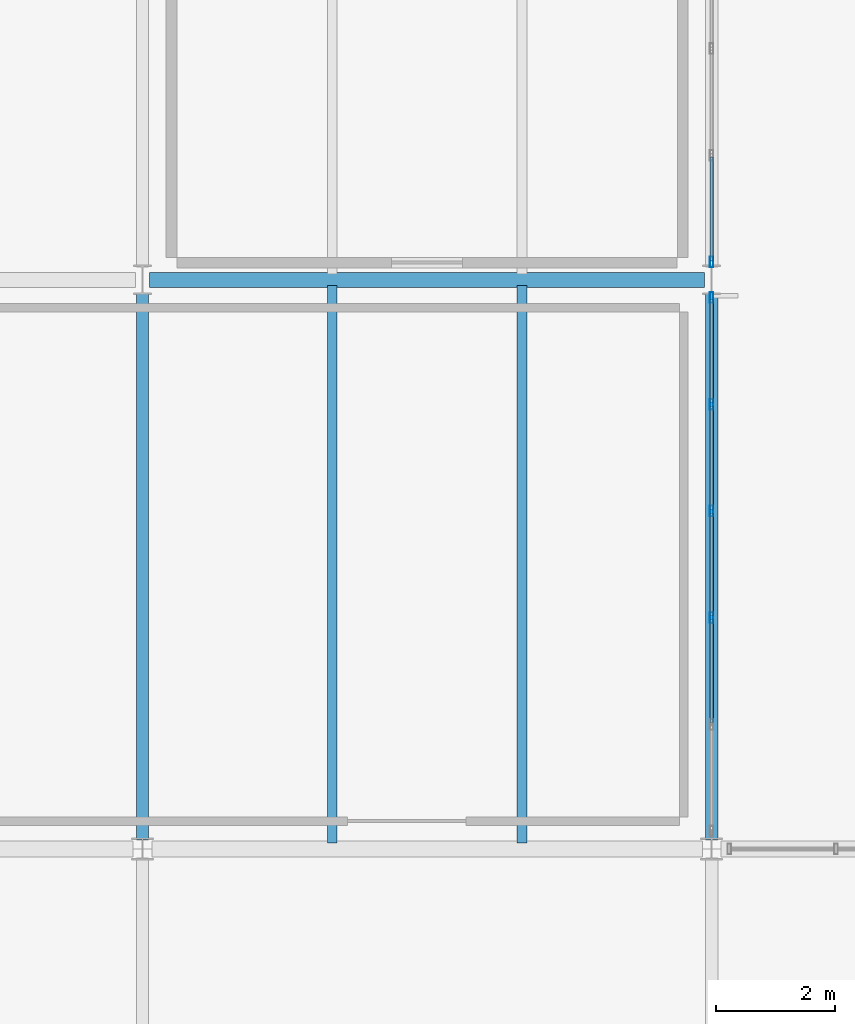
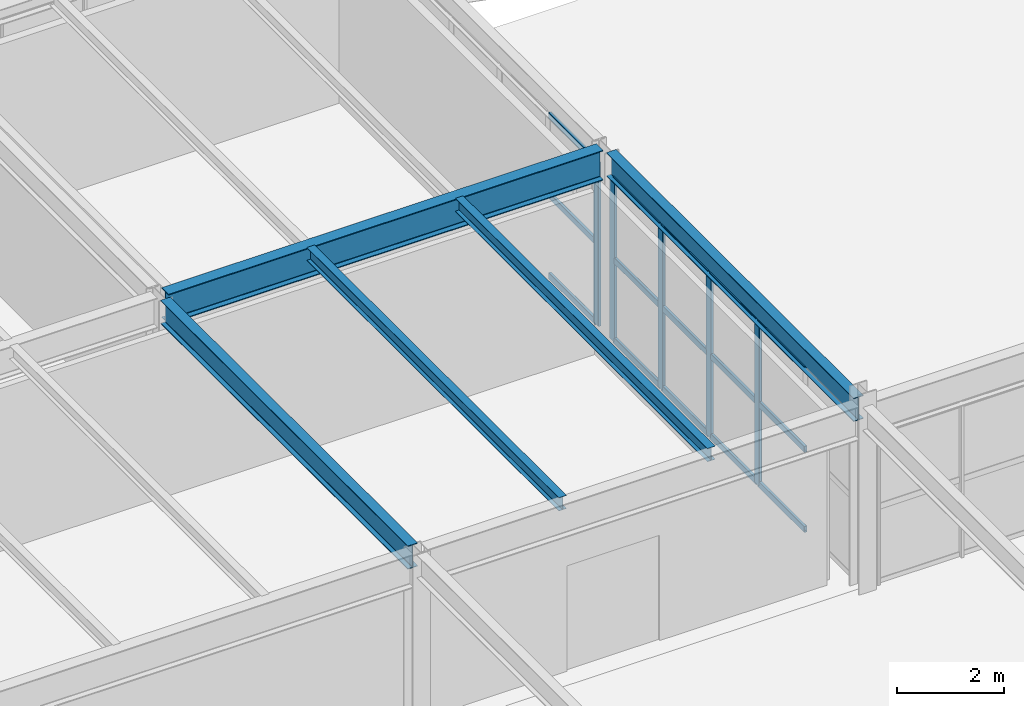
# One storey, part 104 of 170: 20 members, 5 beams, 2 elements without a shape of their own.
"""IFC4 building model written with IfcOpenShell, lengths in metres."""

from ifc_helpers import new_model, si_unit, direction, frame, origin, origin_2d, place, context, subcontext, project, spatial, hollow_rectangle, i_section, extrude, material, material_profile, profile_set, type_object, element, aggregate, save


model = new_model("IFC4")

# Units and contexts
model_context = context("Model", 3, precision=1e-05, world=origin(), true_north=direction((0.0, 1.0)))
body_context = subcontext(model_context, "Body", "Model", "MODEL_VIEW")
ifc_project = project(units=[si_unit("LENGTHUNIT", "METRE"), si_unit("AREAUNIT", "SQUARE_METRE"), si_unit("VOLUMEUNIT", "CUBIC_METRE"), si_unit("PLANEANGLEUNIT", "RADIAN"), si_unit("MASSUNIT", "GRAM", prefix="KILO")], contexts=[model_context])

# Site, building, storey
site_placement = place(None, origin())
site = spatial("IfcSite", under=ifc_project, at=site_placement, CompositionType="ELEMENT")
building_placement = place(site_placement, origin())
building = spatial("IfcBuilding", under=site, at=building_placement, Name="Coralgate Yard Interchange", CompositionType="ELEMENT")
storey_placement = place(building_placement, frame((0.0, 0.0, 6.0)))
storey = spatial("IfcBuildingStorey", under=building, at=storey_placement, Name="L01", CompositionType="ELEMENT", Elevation=6.0)

# Beams
ifc_material_1 = material(Name="Structural steel S355J2", Category="steel")
ifc_material_profile_1 = material_profile(ifc_material_1, i_section(OverallWidth=0.209228515625, OverallDepth=0.533203125, WebThickness=0.010009765625, FlangeThickness=0.015625, FilletRadius=0.0126953125, at=origin_2d()), Name="UB 533x210x92")
ifc_profile_set_1 = profile_set([ifc_material_profile_1], Name="Structural steel S355J2")
beam_type_1 = type_object("IfcBeamType", Name="BM-SB-1", PredefinedType="BEAM", material=ifc_profile_set_1)
for number, where, z_axis, x_axis, name in (
    (1, (96.0, 76.9541015625, 3.9833984375), (0.0, 1.0, 0.0), (-1.0, 0.0, 0.0), "L01 primary grid girder X10 Y8-9"),
    (2, (105.60009765625, 76.9541015625, 3.9833984375), (0.0, 1.0, 0.0), (-1.0, 0.0, 0.0), "L01 primary grid girder X11 Y8-9"),
):
    element("IfcBeam", number, at=place(storey_placement, frame(where, z_axis=z_axis, x_axis=x_axis)), inside=storey, type_object=beam_type_1, Name=name, PredefinedType="BEAM", context=body_context, shape_type="SweptSolid", body=[
        extrude(i_section(OverallWidth=0.209228515625, OverallDepth=0.533203125, WebThickness=0.010009765625, FlangeThickness=0.015625, FilletRadius=0.0126953125, at=origin_2d()), origin(), (0.0, 0.0, 1.0), 9.225830078125),
    ])
ifc_material_profile_2 = material_profile(ifc_material_1, i_section(OverallWidth=0.253662109375, OverallDepth=0.68359375, WebThickness=0.012451171875, FlangeThickness=0.01904296875, FilletRadius=0.01513671875, at=origin_2d()), Name="UB 686x254x140")
ifc_profile_set_2 = profile_set([ifc_material_profile_2], Name="Structural steel S355J2")
beam_type_2 = type_object("IfcBeamType", Name="BM-SG-4", PredefinedType="BEAM", material=ifc_profile_set_2)
beam_placement = place(storey_placement, frame((96.1201171875, 86.39990234375, 3.908203125), z_axis=(1.0, 0.0, 0.0), x_axis=(0.0, 1.0, 0.0)))
element("IfcBeam", 3, at=beam_placement, inside=storey, type_object=beam_type_2, Name="L01 primary grid beam Y9 X10-11", PredefinedType="BEAM", context=body_context, shape_type="SweptSolid", body=[
    extrude(i_section(OverallWidth=0.253662109375, OverallDepth=0.68359375, WebThickness=0.012451171875, FlangeThickness=0.01904296875, FilletRadius=0.01513671875, at=origin_2d()), origin(), (0.0, 0.0, 1.0), 9.35986328125),
])
ifc_material_profile_3 = material_profile(ifc_material_1, i_section(OverallWidth=0.1650390625, OverallDepth=0.303466796875, WebThickness=0.006103515625, FlangeThickness=0.01025390625, FilletRadius=0.0087890625, at=origin_2d()), Name="UB 305x165x40")
ifc_profile_set_3 = profile_set([ifc_material_profile_3], Name="Structural steel S355J2")
beam_type_3 = type_object("IfcBeamType", Name="BM-SJ-1", PredefinedType="JOIST", material=ifc_profile_set_3)
for number, where, z_axis, x_axis, name in (
    (4, (99.199951171875, 76.9033203125, 4.098388671875), (0.0, 1.0, 0.0), (-1.0, 0.0, 0.0), "L01 composite floor joist 10-8-1"),
    (5, (102.39990234375, 76.9033203125, 4.098388671875), (0.0, 1.0, 0.0), (-1.0, 0.0, 0.0), "L01 composite floor joist 10-8-2"),
):
    element("IfcBeam", number, at=place(storey_placement, frame(where, z_axis=z_axis, x_axis=x_axis)), inside=storey, type_object=beam_type_3, Name=name, PredefinedType="JOIST", context=body_context, shape_type="SweptSolid", body=[
        extrude(i_section(OverallWidth=0.1650390625, OverallDepth=0.303466796875, WebThickness=0.006103515625, FlangeThickness=0.01025390625, FilletRadius=0.0087890625, at=origin_2d()), origin(), (0.0, 0.0, 1.0), 9.399658203125),
    ])

# Curtain wall, members
ifc_material_2 = material(Name="Anodised coastal aluminium and solar-control low-E glass", Category="aluminium")
curtain_wall_type = type_object("IfcCurtainWallType", Name="CW-CW-L01-B", PredefinedType="NOTDEFINED", material=ifc_material_2)
curtain_wall_1_placement = place(storey_placement, origin())
curtain_wall_1 = element("IfcCurtainWall", 6, at=curtain_wall_1_placement, inside=storey, type_object=curtain_wall_type, Name="L01 unitised curtain wall CW-L01-E-10-08", PredefinedType="NOTDEFINED")
ifc_material_3 = material(Name="Anodised coastal aluminium 6063-T6", Category="aluminium")
ifc_material_profile_4 = material_profile(ifc_material_3, hollow_rectangle(XDim=0.06005859375, YDim=0.179931640625, WallThickness=0.00390625, InnerFilletRadius=0.00390625, OuterFilletRadius=0.008056640625, at=origin_2d()), Name="ALU 60x180x4")
ifc_profile_set_4 = profile_set([ifc_material_profile_4], Name="Anodised coastal aluminium 6063-T6")
member_type_1 = type_object("IfcMemberType", Name="MB-MUL-180", PredefinedType="MULLION", material=ifc_profile_set_4)
member_1_placement = place(storey_placement, frame((105.60009765625, 86.10009765625, 0.0), z_axis=(0.0, 0.0, 1.0), x_axis=(1.0, 0.0, 0.0)))
member_1 = element("IfcMember", 7, at=member_1_placement, type_object=member_type_1, Name="CW-L01-E-10-08 vertical mullion 1", PredefinedType="MULLION", context=body_context, shape_type="SweptSolid", body=[
    extrude(hollow_rectangle(XDim=0.06005859375, YDim=0.179931640625, WallThickness=0.00390625, InnerFilletRadius=0.00390625, OuterFilletRadius=0.008056640625, at=origin_2d()), origin(), (0.0, 0.0, 1.0), 3.716796875),
])
member_2_placement = place(storey_placement, frame((105.60009765625, 84.300048828125, 0.0), z_axis=(0.0, 0.0, 1.0), x_axis=(1.0, 0.0, 0.0)))
member_2 = element("IfcMember", 8, at=member_2_placement, type_object=member_type_1, Name="CW-L01-E-10-08 vertical mullion 2", PredefinedType="MULLION", context=body_context, shape_type="SweptSolid", body=[
    extrude(hollow_rectangle(XDim=0.06005859375, YDim=0.179931640625, WallThickness=0.00390625, InnerFilletRadius=0.00390625, OuterFilletRadius=0.008056640625, at=origin_2d()), origin(), (0.0, 0.0, 1.0), 3.716796875),
])
member_3_placement = place(storey_placement, frame((105.60009765625, 82.5, 0.0), z_axis=(0.0, 0.0, 1.0), x_axis=(1.0, 0.0, 0.0)))
member_3 = element("IfcMember", 9, at=member_3_placement, type_object=member_type_1, Name="CW-L01-E-10-08 vertical mullion 3", PredefinedType="MULLION", context=body_context, shape_type="SweptSolid", body=[
    extrude(hollow_rectangle(XDim=0.06005859375, YDim=0.179931640625, WallThickness=0.00390625, InnerFilletRadius=0.00390625, OuterFilletRadius=0.008056640625, at=origin_2d()), origin(), (0.0, 0.0, 1.0), 3.716796875),
])
member_4_placement = place(storey_placement, frame((105.60009765625, 80.699951171875, 0.0), z_axis=(0.0, 0.0, 1.0), x_axis=(1.0, 0.0, 0.0)))
member_4 = element("IfcMember", 10, at=member_4_placement, type_object=member_type_1, Name="CW-L01-E-10-08 vertical mullion 4", PredefinedType="MULLION", context=body_context, shape_type="SweptSolid", body=[
    extrude(hollow_rectangle(XDim=0.06005859375, YDim=0.179931640625, WallThickness=0.00390625, InnerFilletRadius=0.00390625, OuterFilletRadius=0.008056640625, at=origin_2d()), origin(), (0.0, 0.0, 1.0), 3.716796875),
])

# Curtain wall, member
curtain_wall_2_placement = place(storey_placement, origin())
curtain_wall_2 = element("IfcCurtainWall", 11, at=curtain_wall_2_placement, inside=storey, type_object=curtain_wall_type, Name="L01 unitised curtain wall CW-L01-E-10-09", PredefinedType="NOTDEFINED")
member_5_placement = place(storey_placement, frame((105.60009765625, 86.699951171875, 0.0), z_axis=(0.0, 0.0, 1.0), x_axis=(1.0, 0.0, 0.0)))
member_5 = element("IfcMember", 12, at=member_5_placement, type_object=member_type_1, Name="CW-L01-E-10-09 vertical mullion 6", PredefinedType="MULLION", context=body_context, shape_type="SweptSolid", body=[
    extrude(hollow_rectangle(XDim=0.06005859375, YDim=0.179931640625, WallThickness=0.00390625, InnerFilletRadius=0.00390625, OuterFilletRadius=0.008056640625, at=origin_2d()), origin(), (0.0, 0.0, 1.0), 3.716796875),
])

# Member
ifc_material_profile_5 = material_profile(ifc_material_3, hollow_rectangle(XDim=0.06005859375, YDim=0.139892578125, WallThickness=0.00341796875, InnerFilletRadius=0.00341796875, OuterFilletRadius=0.007080078125, at=origin_2d()), Name="ALU 60x140x3.5")
ifc_profile_set_5 = profile_set([ifc_material_profile_5], Name="Anodised coastal aluminium 6063-T6")
member_type_2 = type_object("IfcMemberType", Name="MB-TRN-140", PredefinedType="USERDEFINED", material=ifc_profile_set_5)
member_6_placement = place(storey_placement, frame((105.60009765625, 86.070068359375, 0.034912109375), z_axis=(0.0, -1.0, 0.0), x_axis=(1.0, 0.0, 0.0)))
member_6 = element("IfcMember", 13, at=member_6_placement, type_object=member_type_2, Name="CW-L01-E-10-08 horizontal transom 1-1", ObjectType="TRANSOM", PredefinedType="USERDEFINED", context=body_context, shape_type="SweptSolid", body=[
    extrude(hollow_rectangle(XDim=0.06005859375, YDim=0.139892578125, WallThickness=0.00341796875, InnerFilletRadius=0.00341796875, OuterFilletRadius=0.007080078125, at=origin_2d()), origin(), (0.0, 0.0, 1.0), 1.739990234375),
])

member_7_placement = place(storey_placement, frame((105.60009765625, 86.070068359375, 1.8583984375), z_axis=(0.0, -1.0, 0.0), x_axis=(1.0, 0.0, 0.0)))
member_7 = element("IfcMember", 14, at=member_7_placement, type_object=member_type_2, Name="CW-L01-E-10-08 horizontal transom 1-2", ObjectType="TRANSOM", PredefinedType="USERDEFINED", context=body_context, shape_type="SweptSolid", body=[
    extrude(hollow_rectangle(XDim=0.06005859375, YDim=0.139892578125, WallThickness=0.00341796875, InnerFilletRadius=0.00341796875, OuterFilletRadius=0.007080078125, at=origin_2d()), origin(), (0.0, 0.0, 1.0), 1.739990234375),
])

member_8_placement = place(storey_placement, frame((105.60009765625, 86.070068359375, 3.681884765625), z_axis=(0.0, -1.0, 0.0), x_axis=(1.0, 0.0, 0.0)))
member_8 = element("IfcMember", 15, at=member_8_placement, type_object=member_type_2, Name="CW-L01-E-10-08 horizontal transom 1-3", ObjectType="TRANSOM", PredefinedType="USERDEFINED", context=body_context, shape_type="SweptSolid", body=[
    extrude(hollow_rectangle(XDim=0.06005859375, YDim=0.139892578125, WallThickness=0.00341796875, InnerFilletRadius=0.00341796875, OuterFilletRadius=0.007080078125, at=origin_2d()), origin(), (0.0, 0.0, 1.0), 1.739990234375),
])

member_9_placement = place(storey_placement, frame((105.60009765625, 84.27001953125, 0.034912109375), z_axis=(0.0, -1.0, 0.0), x_axis=(1.0, 0.0, 0.0)))
member_9 = element("IfcMember", 16, at=member_9_placement, type_object=member_type_2, Name="CW-L01-E-10-08 horizontal transom 2-1", ObjectType="TRANSOM", PredefinedType="USERDEFINED", context=body_context, shape_type="SweptSolid", body=[
    extrude(hollow_rectangle(XDim=0.06005859375, YDim=0.139892578125, WallThickness=0.00341796875, InnerFilletRadius=0.00341796875, OuterFilletRadius=0.007080078125, at=origin_2d()), origin(), (0.0, 0.0, 1.0), 1.739990234375),
])

member_10_placement = place(storey_placement, frame((105.60009765625, 84.27001953125, 1.8583984375), z_axis=(0.0, -1.0, 0.0), x_axis=(1.0, 0.0, 0.0)))
member_10 = element("IfcMember", 17, at=member_10_placement, type_object=member_type_2, Name="CW-L01-E-10-08 horizontal transom 2-2", ObjectType="TRANSOM", PredefinedType="USERDEFINED", context=body_context, shape_type="SweptSolid", body=[
    extrude(hollow_rectangle(XDim=0.06005859375, YDim=0.139892578125, WallThickness=0.00341796875, InnerFilletRadius=0.00341796875, OuterFilletRadius=0.007080078125, at=origin_2d()), origin(), (0.0, 0.0, 1.0), 1.739990234375),
])

member_11_placement = place(storey_placement, frame((105.60009765625, 84.27001953125, 3.681884765625), z_axis=(0.0, -1.0, 0.0), x_axis=(1.0, 0.0, 0.0)))
member_11 = element("IfcMember", 18, at=member_11_placement, type_object=member_type_2, Name="CW-L01-E-10-08 horizontal transom 2-3", ObjectType="TRANSOM", PredefinedType="USERDEFINED", context=body_context, shape_type="SweptSolid", body=[
    extrude(hollow_rectangle(XDim=0.06005859375, YDim=0.139892578125, WallThickness=0.00341796875, InnerFilletRadius=0.00341796875, OuterFilletRadius=0.007080078125, at=origin_2d()), origin(), (0.0, 0.0, 1.0), 1.739990234375),
])

member_12_placement = place(storey_placement, frame((105.60009765625, 82.469970703125, 0.034912109375), z_axis=(0.0, -1.0, 0.0), x_axis=(1.0, 0.0, 0.0)))
member_12 = element("IfcMember", 19, at=member_12_placement, type_object=member_type_2, Name="CW-L01-E-10-08 horizontal transom 3-1", ObjectType="TRANSOM", PredefinedType="USERDEFINED", context=body_context, shape_type="SweptSolid", body=[
    extrude(hollow_rectangle(XDim=0.06005859375, YDim=0.139892578125, WallThickness=0.00341796875, InnerFilletRadius=0.00341796875, OuterFilletRadius=0.007080078125, at=origin_2d()), origin(), (0.0, 0.0, 1.0), 1.739990234375),
])

member_13_placement = place(storey_placement, frame((105.60009765625, 82.469970703125, 1.8583984375), z_axis=(0.0, -1.0, 0.0), x_axis=(1.0, 0.0, 0.0)))
member_13 = element("IfcMember", 20, at=member_13_placement, type_object=member_type_2, Name="CW-L01-E-10-08 horizontal transom 3-2", ObjectType="TRANSOM", PredefinedType="USERDEFINED", context=body_context, shape_type="SweptSolid", body=[
    extrude(hollow_rectangle(XDim=0.06005859375, YDim=0.139892578125, WallThickness=0.00341796875, InnerFilletRadius=0.00341796875, OuterFilletRadius=0.007080078125, at=origin_2d()), origin(), (0.0, 0.0, 1.0), 1.739990234375),
])

member_14_placement = place(storey_placement, frame((105.60009765625, 82.469970703125, 3.681884765625), z_axis=(0.0, -1.0, 0.0), x_axis=(1.0, 0.0, 0.0)))
member_14 = element("IfcMember", 21, at=member_14_placement, type_object=member_type_2, Name="CW-L01-E-10-08 horizontal transom 3-3", ObjectType="TRANSOM", PredefinedType="USERDEFINED", context=body_context, shape_type="SweptSolid", body=[
    extrude(hollow_rectangle(XDim=0.06005859375, YDim=0.139892578125, WallThickness=0.00341796875, InnerFilletRadius=0.00341796875, OuterFilletRadius=0.007080078125, at=origin_2d()), origin(), (0.0, 0.0, 1.0), 1.739990234375),
])

member_15_placement = place(storey_placement, frame((105.60009765625, 80.669921875, 0.034912109375), z_axis=(0.0, -1.0, 0.0), x_axis=(1.0, 0.0, 0.0)))
member_15 = element("IfcMember", 22, at=member_15_placement, type_object=member_type_2, Name="CW-L01-E-10-08 horizontal transom 4-1", ObjectType="TRANSOM", PredefinedType="USERDEFINED", context=body_context, shape_type="SweptSolid", body=[
    extrude(hollow_rectangle(XDim=0.06005859375, YDim=0.139892578125, WallThickness=0.00341796875, InnerFilletRadius=0.00341796875, OuterFilletRadius=0.007080078125, at=origin_2d()), origin(), (0.0, 0.0, 1.0), 1.739990234375),
])

member_16_placement = place(storey_placement, frame((105.60009765625, 80.669921875, 1.8583984375), z_axis=(0.0, -1.0, 0.0), x_axis=(1.0, 0.0, 0.0)))
member_16 = element("IfcMember", 23, at=member_16_placement, type_object=member_type_2, Name="CW-L01-E-10-08 horizontal transom 4-2", ObjectType="TRANSOM", PredefinedType="USERDEFINED", context=body_context, shape_type="SweptSolid", body=[
    extrude(hollow_rectangle(XDim=0.06005859375, YDim=0.139892578125, WallThickness=0.00341796875, InnerFilletRadius=0.00341796875, OuterFilletRadius=0.007080078125, at=origin_2d()), origin(), (0.0, 0.0, 1.0), 1.739990234375),
])

member_17_placement = place(storey_placement, frame((105.60009765625, 80.669921875, 3.681884765625), z_axis=(0.0, -1.0, 0.0), x_axis=(1.0, 0.0, 0.0)))
member_17 = element("IfcMember", 24, at=member_17_placement, type_object=member_type_2, Name="CW-L01-E-10-08 horizontal transom 4-3", ObjectType="TRANSOM", PredefinedType="USERDEFINED", context=body_context, shape_type="SweptSolid", body=[
    extrude(hollow_rectangle(XDim=0.06005859375, YDim=0.139892578125, WallThickness=0.00341796875, InnerFilletRadius=0.00341796875, OuterFilletRadius=0.007080078125, at=origin_2d()), origin(), (0.0, 0.0, 1.0), 1.739990234375),
])

aggregate(curtain_wall_1, [member_1, member_2, member_3, member_4, member_6, member_7, member_8, member_9, member_10, member_11, member_12, member_13, member_14, member_15, member_16, member_17])

member_18_placement = place(storey_placement, frame((105.60009765625, 88.469970703125, 0.034912109375), z_axis=(0.0, -1.0, 0.0), x_axis=(1.0, 0.0, 0.0)))
member_18 = element("IfcMember", 25, at=member_18_placement, type_object=member_type_2, Name="CW-L01-E-10-09 horizontal transom 5-1", ObjectType="TRANSOM", PredefinedType="USERDEFINED", context=body_context, shape_type="SweptSolid", body=[
    extrude(hollow_rectangle(XDim=0.06005859375, YDim=0.139892578125, WallThickness=0.00341796875, InnerFilletRadius=0.00341796875, OuterFilletRadius=0.007080078125, at=origin_2d()), origin(), (0.0, 0.0, 1.0), 1.739990234375),
])

member_19_placement = place(storey_placement, frame((105.60009765625, 88.469970703125, 1.8583984375), z_axis=(0.0, -1.0, 0.0), x_axis=(1.0, 0.0, 0.0)))
member_19 = element("IfcMember", 26, at=member_19_placement, type_object=member_type_2, Name="CW-L01-E-10-09 horizontal transom 5-2", ObjectType="TRANSOM", PredefinedType="USERDEFINED", context=body_context, shape_type="SweptSolid", body=[
    extrude(hollow_rectangle(XDim=0.06005859375, YDim=0.139892578125, WallThickness=0.00341796875, InnerFilletRadius=0.00341796875, OuterFilletRadius=0.007080078125, at=origin_2d()), origin(), (0.0, 0.0, 1.0), 1.739990234375),
])

member_20_placement = place(storey_placement, frame((105.60009765625, 88.469970703125, 3.681884765625), z_axis=(0.0, -1.0, 0.0), x_axis=(1.0, 0.0, 0.0)))
member_20 = element("IfcMember", 27, at=member_20_placement, type_object=member_type_2, Name="CW-L01-E-10-09 horizontal transom 5-3", ObjectType="TRANSOM", PredefinedType="USERDEFINED", context=body_context, shape_type="SweptSolid", body=[
    extrude(hollow_rectangle(XDim=0.06005859375, YDim=0.139892578125, WallThickness=0.00341796875, InnerFilletRadius=0.00341796875, OuterFilletRadius=0.007080078125, at=origin_2d()), origin(), (0.0, 0.0, 1.0), 1.739990234375),
])

aggregate(curtain_wall_2, [member_5, member_18, member_19, member_20])

save(model, "model.ifc")
